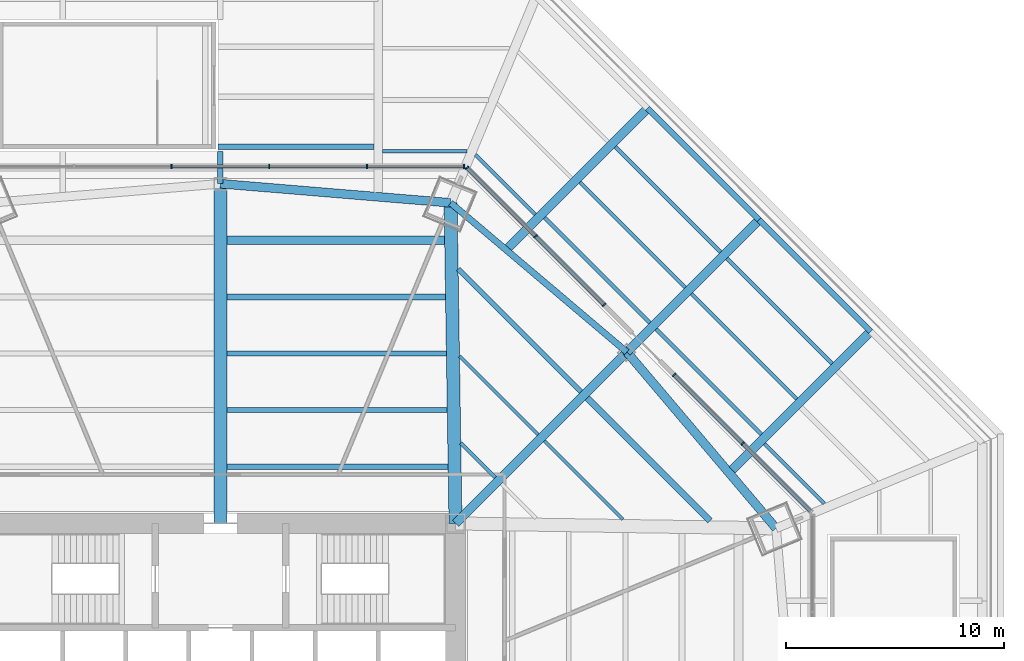
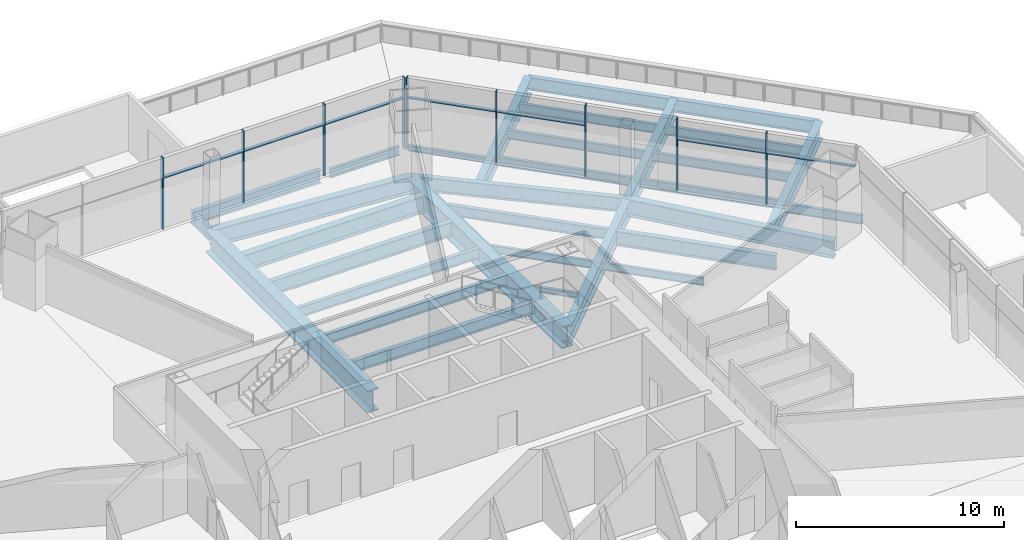
# One storey, part 11 of 25: 31 beams, 17 members, 3 elements without a shape of their own.
"""IFC4 building model written with IfcOpenShell, lengths in metres."""

from ifc_helpers import new_model, si_unit, direction, frame, origin, origin_2d, place, context, subcontext, project, spatial, rectangle, i_section, extrude, source, transform, mapped, material, material_profile, profile_set, type_object, type_shapes, element, aggregate, save


model = new_model("IFC4")

# Units and contexts
model_context = context("Model", 3, precision=1e-05, world=origin(), true_north=direction((0.0, 1.0)))
body_context = subcontext(model_context, "Body", "Model", "MODEL_VIEW")
ifc_project = project(units=[si_unit("LENGTHUNIT", "METRE"), si_unit("AREAUNIT", "SQUARE_METRE"), si_unit("VOLUMEUNIT", "CUBIC_METRE"), si_unit("PLANEANGLEUNIT", "RADIAN"), si_unit("MASSUNIT", "GRAM", prefix="KILO")], contexts=[model_context])

# Site, building, storey
site_placement = place(None, origin())
site = spatial("IfcSite", under=ifc_project, at=site_placement, CompositionType="ELEMENT")
building_placement = place(site_placement, origin())
building = spatial("IfcBuilding", under=site, at=building_placement, Name="Mashrafa Tower", CompositionType="ELEMENT")
storey_placement = place(building_placement, frame((0.0, 0.0, 28.800048828125)))
storey = spatial("IfcBuildingStorey", under=building, at=storey_placement, Name="L05", CompositionType="ELEMENT", Elevation=28.800048828125)

# Beams
ifc_material_1 = material(Name="Steel ASTM A572 Gr 50", Category="steel")
ifc_material_profile_1 = material_profile(ifc_material_1, i_section(OverallWidth=0.60009765625, OverallDepth=1.300048828125, WebThickness=0.028076171875, FlangeThickness=0.06494140625, at=origin_2d()), Name="H1300X600X28X65")
ifc_profile_set_1 = profile_set([ifc_material_profile_1], Name="Steel ASTM A572 Gr 50")
beam_type_1 = type_object("IfcBeamType", Name="Beam H1300X600X28X65", PredefinedType="BEAM", material=ifc_profile_set_1)
beam_1_placement = place(storey_placement, frame((0.0, 10.800048828125, -0.949951171875), z_axis=(0.0, 1.0, 0.0), x_axis=(-1.0, 0.0, 0.0)))
element("IfcBeam", 1, at=beam_1_placement, inside=storey, type_object=beam_type_1, Name="Radial girder L05 241", PredefinedType="BEAM", context=body_context, shape_type="SweptSolid", body=[
    extrude(i_section(OverallWidth=0.60009765625, OverallDepth=1.300048828125, WebThickness=0.028076171875, FlangeThickness=0.06494140625, at=origin_2d()), origin(), (0.0, 0.0, 1.0), 15.6083984375),
])
beam_2_placement = place(storey_placement, frame((10.800048828125, 10.800048828125, -0.949951171875), z_axis=(-0.015279561885, 0.99988326068, 0.0), x_axis=(-0.99988326068, -0.015279561885, 0.0)))
element("IfcBeam", 2, at=beam_2_placement, inside=storey, type_object=beam_type_1, Name="Radial girder L05 246", PredefinedType="BEAM", context=body_context, shape_type="SweptSolid", body=[
    extrude(i_section(OverallWidth=0.60009765625, OverallDepth=1.300048828125, WebThickness=0.028076171875, FlangeThickness=0.06494140625, at=origin_2d()), origin(), (0.0, 0.0, 1.0), 14.73193359375),
])
ifc_material_2 = material(Name="Steel ASTM A992", Category="steel")
ifc_material_profile_2 = material_profile(ifc_material_2, i_section(OverallWidth=0.164794921875, OverallDepth=0.309814453125, WebThickness=0.005859375, FlangeThickness=0.009765625, FilletRadius=0.007568359375, at=origin_2d()), Name="W12X26")
ifc_profile_set_2 = profile_set([ifc_material_profile_2], Name="Steel ASTM A992")
beam_type_2 = type_object("IfcBeamType", Name="Beam W12X26", PredefinedType="BEAM", material=ifc_profile_set_2)
beam_3_placement = place(storey_placement, frame((11.043701171875, 14.4931640625, -0.455078125), z_axis=(0.707106781187, -0.707106781187, 0.0), x_axis=(0.707106781187, 0.707106781187, 0.0)))
element("IfcBeam", 3, at=beam_3_placement, inside=storey, type_object=beam_type_2, Name="Floor beam L05 090", PredefinedType="BEAM", context=body_context, shape_type="SweptSolid", body=[
    extrude(i_section(OverallWidth=0.164794921875, OverallDepth=0.309814453125, WebThickness=0.005859375, FlangeThickness=0.009765625, FilletRadius=0.007568359375, at=origin_2d()), origin(), (0.0, 0.0, 1.0), 2.234619140625),
])
beam_4_placement = place(storey_placement, frame((11.718017578125, 27.7353515625, -0.455078125), z_axis=(0.707075290537, -0.707138270433, 0.0), x_axis=(0.707138270433, 0.707075290537, 0.0)))
element("IfcBeam", 4, at=beam_4_placement, inside=storey, type_object=beam_type_2, Name="Floor beam L05 092", PredefinedType="BEAM", context=body_context, shape_type="SweptSolid", body=[
    extrude(i_section(OverallWidth=0.164794921875, OverallDepth=0.309814453125, WebThickness=0.005859375, FlangeThickness=0.009765625, FilletRadius=0.007568359375, at=origin_2d()), origin(), (0.0, 0.0, 1.0), 3.87646484375),
])
ifc_material_3 = material(Name="Steel ASTM A992", Category="steel")
ifc_material_profile_3 = material_profile(ifc_material_3, i_section(OverallWidth=0.15234375, OverallDepth=0.449462890625, WebThickness=0.007568359375, FlangeThickness=0.0107421875, FilletRadius=0.01025390625, at=origin_2d()), Name="W18X35")
ifc_profile_set_3 = profile_set([ifc_material_profile_3], Name="Steel ASTM A992")
beam_type_3 = type_object("IfcBeamType", Name="Beam W18X35", PredefinedType="BEAM", material=ifc_profile_set_3)
for number, where, z_axis, x_axis, name in (
    (5, (10.982666015625, 18.490966796875, -0.52490234375), (0.707106781187, -0.707106781187, 0.0), (0.707106781187, 0.707106781187, 0.0), "Floor beam L05 087"),
    (6, (14.88134765625, 14.59228515625, -0.52490234375), (0.707106781187, -0.707106781187, 0.0), (0.707106781187, 0.707106781187, 0.0), "Floor beam L05 103"),
):
    element("IfcBeam", number, at=place(storey_placement, frame(where, z_axis=z_axis, x_axis=x_axis)), inside=storey, type_object=beam_type_3, Name=name, PredefinedType="BEAM", context=body_context, shape_type="SweptSolid", body=[
        extrude(i_section(OverallWidth=0.15234375, OverallDepth=0.449462890625, WebThickness=0.007568359375, FlangeThickness=0.0107421875, FilletRadius=0.01025390625, at=origin_2d()), origin(), (0.0, 0.0, 1.0), 5.104736328125),
    ])
ifc_material_4 = material(Name="Steel ASTM A992", Category="steel")
ifc_material_profile_4 = material_profile(ifc_material_4, i_section(OverallWidth=0.165771484375, OverallDepth=0.5283203125, WebThickness=0.009765625, FlangeThickness=0.013671875, FilletRadius=0.012939453125, at=origin_2d()), Name="W21X50")
ifc_profile_set_4 = profile_set([ifc_material_profile_4], Name="Steel ASTM A992")
beam_type_4 = type_object("IfcBeamType", Name="Beam W21X50", PredefinedType="BEAM", material=ifc_profile_set_4)
beam_5_placement = place(storey_placement, frame((7.449462890625, 27.897705078125, -0.564208984375), z_axis=(1.0, 0.0, 0.0), x_axis=(0.0, 1.0, 0.0)))
element("IfcBeam", 7, at=beam_5_placement, inside=storey, type_object=beam_type_4, Name="Floor beam L05 081", PredefinedType="BEAM", context=body_context, shape_type="SweptSolid", body=[
    extrude(i_section(OverallWidth=0.165771484375, OverallDepth=0.5283203125, WebThickness=0.009765625, FlangeThickness=0.013671875, FilletRadius=0.012939453125, at=origin_2d()), origin(), (0.0, 0.0, 1.0), 3.87646484375),
])
for number, where, z_axis, x_axis, name in (
    (8, (14.889404296875, 24.85693359375, -0.564208984375), (0.707106781187, -0.707106781187, 0.0), (0.707106781187, 0.707106781187, 0.0), "Floor beam L05 104"),
    (9, (16.5146484375, 26.482177734375, -0.564208984375), (0.707088953991, -0.707124607932, 0.0), (0.707124607932, 0.707088953991, 0.0), "Floor beam L05 109"),
    (10, (18.139892578125, 28.107421875, -0.564208984375), (0.707088953991, -0.707124607932, 0.0), (0.707124607932, 0.707088953991, 0.0), "Floor beam L05 113"),
    (11, (20.01513671875, 19.731201171875, -0.564208984375), (0.707106781187, -0.707106781187, 0.0), (0.707106781187, 0.707106781187, 0.0), "Floor beam L05 118"),
    (12, (21.64013671875, 21.3564453125, -0.564208984375), (0.707124607932, -0.707088953991, 0.0), (0.707088953991, 0.707124607932, 0.0), "Floor beam L05 122"),
    (13, (23.265380859375, 22.981689453125, -0.564208984375), (0.707124607932, -0.707088953991, 0.0), (0.707088953991, 0.707124607932, 0.0), "Floor beam L05 125"),
):
    element("IfcBeam", number, at=place(storey_placement, frame(where, z_axis=z_axis, x_axis=x_axis)), inside=storey, type_object=beam_type_4, Name=name, PredefinedType="BEAM", context=body_context, shape_type="SweptSolid", body=[
        extrude(i_section(OverallWidth=0.165771484375, OverallDepth=0.5283203125, WebThickness=0.009765625, FlangeThickness=0.013671875, FilletRadius=0.012939453125, at=origin_2d()), origin(), (0.0, 0.0, 1.0), 6.847412109375),
    ])
beam_6_placement = place(storey_placement, frame((24.994140625, 14.458984375, -0.564208984375), z_axis=(0.707138169791, -0.707075391189, 0.0), x_axis=(0.707075391189, 0.707138169791, 0.0)))
element("IfcBeam", 14, at=beam_6_placement, inside=storey, type_object=beam_type_4, Name="Floor beam L05 128", PredefinedType="BEAM", context=body_context, shape_type="SweptSolid", body=[
    extrude(i_section(OverallWidth=0.165771484375, OverallDepth=0.5283203125, WebThickness=0.009765625, FlangeThickness=0.013671875, FilletRadius=0.012939453125, at=origin_2d()), origin(), (0.0, 0.0, 1.0), 3.888916015625),
])
ifc_material_5 = material(Name="Steel ASTM A992", Category="steel")
ifc_material_profile_5 = material_profile(ifc_material_5, i_section(OverallWidth=0.227783203125, OverallDepth=0.60205078125, WebThickness=0.010498046875, FlangeThickness=0.014892578125, FilletRadius=0.012939453125, at=origin_2d()), Name="W24X68")
ifc_profile_set_5 = profile_set([ifc_material_profile_5], Name="Steel ASTM A992")
beam_type_5 = type_object("IfcBeamType", Name="Beam W24X68", PredefinedType="BEAM", material=ifc_profile_set_5)
beam_7_placement = place(storey_placement, frame((0.300048828125, 16.002685546875, -0.60107421875), z_axis=(1.0, 0.0, 0.0), x_axis=(0.0, 1.0, 0.0)))
element("IfcBeam", 15, at=beam_7_placement, inside=storey, type_object=beam_type_5, Name="Floor beam L05 074", PredefinedType="BEAM", context=body_context, shape_type="SweptSolid", body=[
    extrude(i_section(OverallWidth=0.227783203125, OverallDepth=0.60205078125, WebThickness=0.010498046875, FlangeThickness=0.014892578125, FilletRadius=0.012939453125, at=origin_2d()), origin(), (0.0, 0.0, 1.0), 10.120361328125),
])
beam_8_placement = place(storey_placement, frame((0.300048828125, 18.604248046875, -0.60107421875), z_axis=(1.0, 0.0, 0.0), x_axis=(0.0, 1.0, 0.0)))
element("IfcBeam", 16, at=beam_8_placement, inside=storey, type_object=beam_type_5, Name="Floor beam L05 075", PredefinedType="BEAM", context=body_context, shape_type="SweptSolid", body=[
    extrude(i_section(OverallWidth=0.227783203125, OverallDepth=0.60205078125, WebThickness=0.010498046875, FlangeThickness=0.014892578125, FilletRadius=0.012939453125, at=origin_2d()), origin(), (0.0, 0.0, 1.0), 10.080810546875),
])
ifc_material_6 = material(Name="Steel ASTM A992", Category="steel")
ifc_material_profile_6 = material_profile(ifc_material_6, i_section(OverallWidth=0.22900390625, OverallDepth=0.612060546875, WebThickness=0.011962890625, FlangeThickness=0.01953125, FilletRadius=0.0126953125, at=origin_2d()), Name="W24X84")
ifc_profile_set_6 = profile_set([ifc_material_profile_6], Name="Steel ASTM A992")
beam_type_6 = type_object("IfcBeamType", Name="Beam W24X84", PredefinedType="BEAM", material=ifc_profile_set_6)
beam_9_placement = place(storey_placement, frame((10.92138671875, 22.489013671875, -0.606201171875), z_axis=(0.707106781187, -0.707106781187, 0.0), x_axis=(0.707106781187, 0.707106781187, 0.0)))
element("IfcBeam", 17, at=beam_9_placement, inside=storey, type_object=beam_type_6, Name="Floor beam L05 085", PredefinedType="BEAM", context=body_context, shape_type="SweptSolid", body=[
    extrude(i_section(OverallWidth=0.22900390625, OverallDepth=0.612060546875, WebThickness=0.011962890625, FlangeThickness=0.01953125, FilletRadius=0.0126953125, at=origin_2d()), origin(), (0.0, 0.0, 1.0), 7.97509765625),
])
ifc_material_7 = material(Name="Steel ASTM A992", Category="steel")
ifc_material_profile_7 = material_profile(ifc_material_7, i_section(OverallWidth=0.25390625, OverallDepth=0.67822265625, WebThickness=0.01171875, FlangeThickness=0.016357421875, FilletRadius=0.01513671875, at=origin_2d()), Name="W27X84")
ifc_profile_set_7 = profile_set([ifc_material_profile_7], Name="Steel ASTM A992")
beam_type_7 = type_object("IfcBeamType", Name="Beam W27X84", PredefinedType="BEAM", material=ifc_profile_set_7)
beam_10_placement = place(storey_placement, frame((0.300048828125, 13.4013671875, -0.63916015625), z_axis=(1.0, 0.0, 0.0), x_axis=(0.0, 1.0, 0.0)))
element("IfcBeam", 18, at=beam_10_placement, inside=storey, type_object=beam_type_7, Name="Floor beam L05 073", PredefinedType="BEAM", context=body_context, shape_type="SweptSolid", body=[
    extrude(i_section(OverallWidth=0.25390625, OverallDepth=0.67822265625, WebThickness=0.01171875, FlangeThickness=0.016357421875, FilletRadius=0.01513671875, at=origin_2d()), origin(), (0.0, 0.0, 1.0), 10.16015625),
])
ifc_material_8 = material(Name="Steel ASTM A992", Category="steel")
ifc_material_profile_8 = material_profile(ifc_material_8, i_section(OverallWidth=0.2666015625, OverallDepth=0.761962890625, WebThickness=0.014404296875, FlangeThickness=0.021484375, FilletRadius=0.0166015625, at=origin_2d()), Name="W30X116")
ifc_profile_set_8 = profile_set([ifc_material_profile_8], Name="Steel ASTM A992")
beam_type_8 = type_object("IfcBeamType", Name="Beam W30X116", PredefinedType="BEAM", material=ifc_profile_set_8)
for number, where, z_axis, x_axis, name in (
    (19, (24.748779296875, 24.748779296875, -0.68115234375), (-0.707106781187, 0.707106781187, 0.0), (-0.707106781187, -0.707106781187, 0.0), "Podium edge beam L05 169"),
    (20, (29.87451171875, 19.623046875, -0.68115234375), (-0.707106781187, 0.707106781187, 0.0), (-0.707106781187, -0.707106781187, 0.0), "Podium edge beam L05 171"),
):
    element("IfcBeam", number, at=place(storey_placement, frame(where, z_axis=z_axis, x_axis=x_axis)), inside=storey, type_object=beam_type_8, Name=name, PredefinedType="BEAM", context=body_context, shape_type="SweptSolid", body=[
        extrude(i_section(OverallWidth=0.2666015625, OverallDepth=0.761962890625, WebThickness=0.014404296875, FlangeThickness=0.021484375, FilletRadius=0.0166015625, at=origin_2d()), origin(), (0.0, 0.0, 1.0), 7.248779296875),
    ])
ifc_material_9 = material(Name="Steel ASTM A992", Category="steel")
ifc_material_profile_9 = material_profile(ifc_material_9, i_section(OverallWidth=0.2666015625, OverallDepth=0.75439453125, WebThickness=0.01318359375, FlangeThickness=0.01708984375, FilletRadius=0.0166015625, at=origin_2d()), Name="W30X99")
ifc_profile_set_9 = profile_set([ifc_material_profile_9], Name="Steel ASTM A992")
beam_type_9 = type_object("IfcBeamType", Name="Beam W30X99", PredefinedType="BEAM", material=ifc_profile_set_9)
beam_11_placement = place(storey_placement, frame((-0.10009765625, 28.10498046875, -0.67724609375), z_axis=(1.0, 0.0, 0.0), x_axis=(0.0, 1.0, 0.0)))
element("IfcBeam", 21, at=beam_11_placement, inside=storey, type_object=beam_type_9, Name="Floor beam L05 065", PredefinedType="BEAM", context=body_context, shape_type="SweptSolid", body=[
    extrude(i_section(OverallWidth=0.2666015625, OverallDepth=0.75439453125, WebThickness=0.01318359375, FlangeThickness=0.01708984375, FilletRadius=0.0166015625, at=origin_2d()), origin(), (0.0, 0.0, 1.0), 7.148193359375),
])
ifc_material_10 = material(Name="Steel ASTM A992", Category="steel")
ifc_material_profile_10 = material_profile(ifc_material_10, i_section(OverallWidth=0.2919921875, OverallDepth=0.8408203125, WebThickness=0.0146484375, FlangeThickness=0.021728515625, FilletRadius=0.017333984375, at=origin_2d()), Name="W33X130")
ifc_profile_set_10 = profile_set([ifc_material_profile_10], Name="Steel ASTM A992")
beam_type_10 = type_object("IfcBeamType", Name="Beam W33X130", PredefinedType="BEAM", material=ifc_profile_set_10)
beam_12_placement = place(storey_placement, frame((18.673583984375, 18.673583984375, -0.720458984375), z_axis=(-0.763200370104, 0.646161895405, 0.0), x_axis=(-0.646161895405, -0.763200370104, 0.0)))
element("IfcBeam", 22, at=beam_12_placement, inside=storey, type_object=beam_type_10, Name="Podium ring girder L05 229", PredefinedType="BEAM", context=body_context, shape_type="SweptSolid", body=[
    extrude(i_section(OverallWidth=0.2919921875, OverallDepth=0.8408203125, WebThickness=0.0146484375, FlangeThickness=0.021728515625, FilletRadius=0.017333984375, at=origin_2d()), origin(), (0.0, 0.0, 1.0), 10.611328125),
])
ifc_material_11 = material(Name="Steel ASTM A992", Category="steel")
ifc_material_profile_11 = material_profile(ifc_material_11, i_section(OverallWidth=0.2919921875, OverallDepth=0.845703125, WebThickness=0.015380859375, FlangeThickness=0.0244140625, FilletRadius=0.017333984375, at=origin_2d()), Name="W33X141")
ifc_profile_set_11 = profile_set([ifc_material_profile_11], Name="Steel ASTM A992")
beam_type_11 = type_object("IfcBeamType", Name="Beam W33X141", PredefinedType="BEAM", material=ifc_profile_set_11)
beam_13_placement = place(storey_placement, frame((0.300048828125, 21.205810546875, -0.722900390625), z_axis=(1.0, 0.0, 0.0), x_axis=(0.0, 1.0, 0.0)))
element("IfcBeam", 23, at=beam_13_placement, inside=storey, type_object=beam_type_11, Name="Floor beam L05 076", PredefinedType="BEAM", context=body_context, shape_type="SweptSolid", body=[
    extrude(i_section(OverallWidth=0.2919921875, OverallDepth=0.845703125, WebThickness=0.015380859375, FlangeThickness=0.0244140625, FilletRadius=0.017333984375, at=origin_2d()), origin(), (0.0, 0.0, 1.0), 10.041015625),
])
ifc_material_12 = material(Name="Steel ASTM A992", Category="steel")
ifc_material_profile_12 = material_profile(ifc_material_12, i_section(OverallWidth=0.2919921875, OverallDepth=0.8583984375, WebThickness=0.01708984375, FlangeThickness=0.031005859375, FilletRadius=0.017822265625, at=origin_2d()), Name="W33X169")
ifc_profile_set_12 = profile_set([ifc_material_profile_12], Name="Steel ASTM A992")
beam_type_12 = type_object("IfcBeamType", Name="Beam W33X169", PredefinedType="BEAM", material=ifc_profile_set_12)
beam_14_placement = place(storey_placement, frame((16.849853515625, 16.560546875, -0.729248046875), z_axis=(0.707106781187, -0.707106781187, 0.0), x_axis=(0.707106781187, 0.707106781187, 0.0)))
element("IfcBeam", 24, at=beam_14_placement, inside=storey, type_object=beam_type_12, Name="Floor beam L05 111", PredefinedType="BEAM", context=body_context, shape_type="SweptSolid", body=[
    extrude(i_section(OverallWidth=0.2919921875, OverallDepth=0.8583984375, WebThickness=0.01708984375, FlangeThickness=0.031005859375, FilletRadius=0.017822265625, at=origin_2d()), origin(), (0.0, 0.0, 1.0), 7.97509765625),
])
ifc_material_13 = material(Name="Steel ASTM A992", Category="steel")
ifc_material_profile_13 = material_profile(ifc_material_13, i_section(OverallWidth=0.4013671875, OverallDepth=0.98291015625, WebThickness=0.0166015625, FlangeThickness=0.027099609375, FilletRadius=0.0126953125, at=origin_2d()), Name="W40X199")
ifc_profile_set_13 = profile_set([ifc_material_profile_13], Name="Steel ASTM A992")
beam_type_13 = type_object("IfcBeamType", Name="Beam W40X199", PredefinedType="BEAM", material=ifc_profile_set_13)
beam_15_placement = place(storey_placement, frame((0.300048828125, 23.80712890625, -0.79150390625), z_axis=(1.0, 0.0, 0.0), x_axis=(0.0, 1.0, 0.0)))
element("IfcBeam", 25, at=beam_15_placement, inside=storey, type_object=beam_type_13, Name="Floor beam L05 077", PredefinedType="BEAM", context=body_context, shape_type="SweptSolid", body=[
    extrude(i_section(OverallWidth=0.4013671875, OverallDepth=0.98291015625, WebThickness=0.0166015625, FlangeThickness=0.027099609375, FilletRadius=0.0126953125, at=origin_2d()), origin(), (0.0, 0.0, 1.0), 10.001220703125),
])
ifc_material_14 = material(Name="Steel ASTM A992", Category="steel")
ifc_material_profile_14 = material_profile(ifc_material_14, i_section(OverallWidth=0.4013671875, OverallDepth=1.010986328125, WebThickness=0.023681640625, FlangeThickness=0.0419921875, FilletRadius=0.02001953125, at=origin_2d()), Name="W40X297")
ifc_profile_set_14 = profile_set([ifc_material_profile_14], Name="Steel ASTM A992")
beam_type_14 = type_object("IfcBeamType", Name="Beam W40X297", PredefinedType="BEAM", material=ifc_profile_set_14)
beam_16_placement = place(storey_placement, frame((13.225830078125, 23.477294921875, -0.805419921875), z_axis=(0.707106781187, 0.707106781187, 0.0), x_axis=(-0.707106781187, 0.707106781187, 0.0)))
element("IfcBeam", 26, at=beam_16_placement, inside=storey, type_object=beam_type_14, Name="Podium radial beam L05 205", PredefinedType="BEAM", context=body_context, shape_type="SweptSolid", body=[
    extrude(i_section(OverallWidth=0.4013671875, OverallDepth=1.010986328125, WebThickness=0.023681640625, FlangeThickness=0.0419921875, FilletRadius=0.02001953125, at=origin_2d()), origin(), (0.0, 0.0, 1.0), 9.047119140625),
])
beam_17_placement = place(storey_placement, frame((18.673583984375, 18.673583984375, -0.805419921875), z_axis=(0.707106781187, 0.707106781187, 0.0), x_axis=(-0.707106781187, 0.707106781187, 0.0)))
element("IfcBeam", 27, at=beam_17_placement, inside=storey, type_object=beam_type_14, Name="Podium radial beam L05 207", PredefinedType="BEAM", context=body_context, shape_type="SweptSolid", body=[
    extrude(i_section(OverallWidth=0.4013671875, OverallDepth=1.010986328125, WebThickness=0.023681640625, FlangeThickness=0.0419921875, FilletRadius=0.02001953125, at=origin_2d()), origin(), (0.0, 0.0, 1.0), 8.591552734375),
])
beam_18_placement = place(storey_placement, frame((23.51611328125, 13.2646484375, -0.805419921875), z_axis=(0.707106781187, 0.707106781187, 0.0), x_axis=(-0.707106781187, 0.707106781187, 0.0)))
element("IfcBeam", 28, at=beam_18_placement, inside=storey, type_object=beam_type_14, Name="Podium radial beam L05 209", PredefinedType="BEAM", context=body_context, shape_type="SweptSolid", body=[
    extrude(i_section(OverallWidth=0.4013671875, OverallDepth=1.010986328125, WebThickness=0.023681640625, FlangeThickness=0.0419921875, FilletRadius=0.02001953125, at=origin_2d()), origin(), (0.0, 0.0, 1.0), 8.9921875),
])
for number, where, z_axis, x_axis, name in (
    (29, (10.574951171875, 25.5302734375, -0.805419921875), (-0.996569676299, 0.082757962037, 0.0), (-0.082757962037, -0.996569676299, 0.0), "Podium ring girder L05 227"),
    (30, (25.5302734375, 10.574951171875, -0.805419921875), (-0.646161895405, 0.763200370104, 0.0), (-0.763200370104, -0.646161895405, 0.0), "Podium ring girder L05 231"),
):
    element("IfcBeam", number, at=place(storey_placement, frame(where, z_axis=z_axis, x_axis=x_axis)), inside=storey, type_object=beam_type_14, Name=name, PredefinedType="BEAM", context=body_context, shape_type="SweptSolid", body=[
        extrude(i_section(OverallWidth=0.4013671875, OverallDepth=1.010986328125, WebThickness=0.023681640625, FlangeThickness=0.0419921875, FilletRadius=0.02001953125, at=origin_2d()), origin(), (0.0, 0.0, 1.0), 10.611328125),
    ])
ifc_material_15 = material(Name="Steel ASTM A992", Category="steel")
ifc_material_profile_15 = material_profile(ifc_material_15, i_section(OverallWidth=0.408935546875, OverallDepth=1.04150390625, WebThickness=0.031005859375, FlangeThickness=0.055908203125, FilletRadius=0.020263671875, at=origin_2d()), Name="W40X397")
ifc_profile_set_15 = profile_set([ifc_material_profile_15], Name="Steel ASTM A992")
beam_type_15 = type_object("IfcBeamType", Name="Beam W40X397", PredefinedType="BEAM", material=ifc_profile_set_15)
beam_19_placement = place(storey_placement, frame((10.800048828125, 10.800048828125, -0.82080078125), z_axis=(0.707106781187, 0.707106781187, 0.0), x_axis=(-0.707106781187, 0.707106781187, 0.0)))
element("IfcBeam", 31, at=beam_19_placement, inside=storey, type_object=beam_type_15, Name="Radial girder L05 247", PredefinedType="BEAM", context=body_context, shape_type="SweptSolid", body=[
    extrude(i_section(OverallWidth=0.408935546875, OverallDepth=1.04150390625, WebThickness=0.031005859375, FlangeThickness=0.055908203125, FilletRadius=0.020263671875, at=origin_2d()), origin(), (0.0, 0.0, 1.0), 11.134765625),
])

# Member
ifc_material_16 = material(Name="Steel ASTM A992", Category="steel")
ifc_material_profile_16 = material_profile(ifc_material_16, i_section(OverallWidth=0.25390625, OverallDepth=0.683349609375, WebThickness=0.012451171875, FlangeThickness=0.01904296875, FilletRadius=0.01513671875, at=origin_2d()), Name="W27X94")
ifc_profile_set_16 = profile_set([ifc_material_profile_16], Name="Steel ASTM A992")
member_type_1 = type_object("IfcMemberType", Name="Tie strut W27X94", PredefinedType="STRUT", material=ifc_profile_set_16)
shared_shape_1 = source(origin(), body_context, "Body", "SweptSolid", [
    extrude(i_section(OverallWidth=0.25390625, OverallDepth=0.683349609375, WebThickness=0.012451171875, FlangeThickness=0.01904296875, FilletRadius=0.01513671875, at=origin_2d()), origin(), (0.0, 0.0, 1.0), 1.491455078125),
])
type_shapes(member_type_1, [shared_shape_1])
member_1_placement = place(storey_placement, frame((0.0, 26.408447265625, -0.6416015625), z_axis=(0.0, 1.0, 0.0), x_axis=(-1.0, 0.0, 0.0)))
element("IfcMember", 32, at=member_1_placement, inside=storey, type_object=member_type_1, Name="Tie strut L05 197", PredefinedType="STRUT", context=body_context, shape_type="MappedRepresentation", body=[
    mapped(shared_shape_1, transform((0.0, 0.0, 0.0))),
])

# Curtain wall, members
ifc_material_17 = material(Name="Unitised aluminium curtain wall", Category="aluminium")
curtain_wall_type = type_object("IfcCurtainWallType", Name="Office curtain wall, zone 1 CW-A 200 deep", PredefinedType="NOTDEFINED", material=ifc_material_17)
curtain_wall_1_placement = place(storey_placement, origin())
curtain_wall_1 = element("IfcCurtainWall", 33, at=curtain_wall_1_placement, inside=storey, type_object=curtain_wall_type, Name="Office curtain wall, zone 1 L05 north-east part 1", PredefinedType="NOTDEFINED")
ifc_material_18 = material(Name="Extruded aluminium mullion", Category="aluminium")
ifc_material_profile_17 = material_profile(ifc_material_18, rectangle(XDim=0.199951171875, YDim=0.06494140625, at=origin_2d()), Name="Mullion 65x200")
ifc_profile_set_17 = profile_set([ifc_material_profile_17], Name="Extruded aluminium mullion")
member_type_2 = type_object("IfcMemberType", Name="Mullion CW-A 65 x 200", PredefinedType="MULLION", material=ifc_profile_set_17)
shared_shape_2 = source(origin(), body_context, "Body", "SweptSolid", [
    extrude(rectangle(XDim=0.199951171875, YDim=0.06494140625, at=origin_2d()), origin(), (0.0, 0.0, 1.0), 4.199951171875),
])
type_shapes(member_type_2, [shared_shape_2])
member_2_placement = place(storey_placement, frame((23.991455078125, 14.47509765625, 0.0), z_axis=(0.0, 0.0, 1.0), x_axis=(-0.707106781187, -0.707106781187, 0.0)))
member_2 = element("IfcMember", 34, at=member_2_placement, type_object=member_type_2, Name="CW-A mullion 2", PredefinedType="MULLION", context=body_context, shape_type="MappedRepresentation", body=[
    mapped(shared_shape_2, transform((0.0, 0.0, 0.0))),
])
member_3_placement = place(storey_placement, frame((20.84228515625, 17.624267578125, 0.0), z_axis=(0.0, 0.0, 1.0), x_axis=(-0.707106781187, -0.707106781187, 0.0)))
member_3 = element("IfcMember", 35, at=member_3_placement, type_object=member_type_2, Name="CW-A mullion 3", PredefinedType="MULLION", context=body_context, shape_type="MappedRepresentation", body=[
    mapped(shared_shape_2, transform((0.0, 0.0, 0.0))),
])

curtain_wall_2_placement = place(storey_placement, origin())
curtain_wall_2 = element("IfcCurtainWall", 36, at=curtain_wall_2_placement, inside=storey, type_object=curtain_wall_type, Name="Office curtain wall, zone 1 L05 north-east part 2", PredefinedType="NOTDEFINED")
member_4_placement = place(storey_placement, frame((17.624267578125, 20.84228515625, 0.0), z_axis=(0.0, 0.0, 1.0), x_axis=(-0.707106781187, -0.707106781187, 0.0)))
member_4 = element("IfcMember", 37, at=member_4_placement, type_object=member_type_2, Name="CW-A mullion 1", PredefinedType="MULLION", context=body_context, shape_type="MappedRepresentation", body=[
    mapped(shared_shape_2, transform((0.0, 0.0, 0.0))),
])
member_5_placement = place(storey_placement, frame((14.47509765625, 23.991455078125, 0.0), z_axis=(0.0, 0.0, 1.0), x_axis=(-0.707106781187, -0.707106781187, 0.0)))
member_5 = element("IfcMember", 38, at=member_5_placement, type_object=member_type_2, Name="CW-A mullion 2", PredefinedType="MULLION", context=body_context, shape_type="MappedRepresentation", body=[
    mapped(shared_shape_2, transform((0.0, 0.0, 0.0))),
])
member_6_placement = place(storey_placement, frame((11.325927734375, 27.140625, 0.0), z_axis=(0.0, 0.0, 1.0), x_axis=(-0.707106781187, -0.707106781187, 0.0)))
member_6 = element("IfcMember", 39, at=member_6_placement, type_object=member_type_2, Name="CW-A mullion 3", PredefinedType="MULLION", context=body_context, shape_type="MappedRepresentation", body=[
    mapped(shared_shape_2, transform((0.0, 0.0, 0.0))),
])

curtain_wall_3_placement = place(storey_placement, origin())
curtain_wall_3 = element("IfcCurtainWall", 40, at=curtain_wall_3_placement, inside=storey, type_object=curtain_wall_type, Name="Office curtain wall, zone 1 L05 north", PredefinedType="NOTDEFINED")
member_7_placement = place(storey_placement, frame((11.1826171875, 27.199951171875, 0.0), z_axis=(0.0, 0.0, 1.0), x_axis=(0.0, -1.0, 0.0)))
member_7 = element("IfcMember", 41, at=member_7_placement, type_object=member_type_2, Name="CW-A mullion 1", PredefinedType="MULLION", context=body_context, shape_type="MappedRepresentation", body=[
    mapped(shared_shape_2, transform((0.0, 0.0, 0.0))),
])
member_8_placement = place(storey_placement, frame((6.72900390625, 27.199951171875, 0.0), z_axis=(0.0, 0.0, 1.0), x_axis=(0.0, -1.0, 0.0)))
member_8 = element("IfcMember", 42, at=member_8_placement, type_object=member_type_2, Name="CW-A mullion 2", PredefinedType="MULLION", context=body_context, shape_type="MappedRepresentation", body=[
    mapped(shared_shape_2, transform((0.0, 0.0, 0.0))),
])
member_9_placement = place(storey_placement, frame((2.242919921875, 27.199951171875, 0.0), z_axis=(0.0, 0.0, 1.0), x_axis=(0.0, -1.0, 0.0)))
member_9 = element("IfcMember", 43, at=member_9_placement, type_object=member_type_2, Name="CW-A mullion 3", PredefinedType="MULLION", context=body_context, shape_type="MappedRepresentation", body=[
    mapped(shared_shape_2, transform((0.0, 0.0, 0.0))),
])
member_10_placement = place(storey_placement, frame((-2.242919921875, 27.199951171875, 0.0), z_axis=(0.0, 0.0, 1.0), x_axis=(0.0, -1.0, 0.0)))
member_10 = element("IfcMember", 44, at=member_10_placement, type_object=member_type_2, Name="CW-A mullion 4", PredefinedType="MULLION", context=body_context, shape_type="MappedRepresentation", body=[
    mapped(shared_shape_2, transform((0.0, 0.0, 0.0))),
])
ifc_material_19 = material(Name="Extruded aluminium transom", Category="aluminium")
ifc_material_profile_18 = material_profile(ifc_material_19, rectangle(XDim=0.159912109375, YDim=0.080078125, at=origin_2d()), Name="Transom 80x160")
ifc_profile_set_18 = profile_set([ifc_material_profile_18], Name="Extruded aluminium transom")
member_type_3 = type_object("IfcMemberType", Name="Transom CW-A 80 x 160", PredefinedType="MULLION", material=ifc_profile_set_18)
shared_shape_3 = source(origin(), body_context, "Body", "SweptSolid", [
    extrude(rectangle(XDim=0.159912109375, YDim=0.080078125, at=origin_2d()), origin(), (0.0, 0.0, 1.0), 4.388427734375),
])
member_11_placement = place(storey_placement, frame((11.150146484375, 27.199951171875, 3.0), z_axis=(-1.0, 0.0, 0.0), x_axis=(0.0, -1.0, 0.0)))
member_11 = element("IfcMember", 45, at=member_11_placement, type_object=member_type_3, Name="CW-A transom 1", PredefinedType="MULLION", context=body_context, shape_type="MappedRepresentation", body=[
    mapped(shared_shape_3, transform((0.0, 0.0, 0.0))),
])
shared_shape_4 = source(origin(), body_context, "Body", "SweptSolid", [
    extrude(rectangle(XDim=0.159912109375, YDim=0.080078125, at=origin_2d()), origin(), (0.0, 0.0, 1.0), 4.4208984375),
])
member_12_placement = place(storey_placement, frame((6.696533203125, 27.199951171875, 3.0), z_axis=(-1.0, 0.0, 0.0), x_axis=(0.0, -1.0, 0.0)))
member_12 = element("IfcMember", 46, at=member_12_placement, type_object=member_type_3, Name="CW-A transom 2", PredefinedType="MULLION", context=body_context, shape_type="MappedRepresentation", body=[
    mapped(shared_shape_4, transform((0.0, 0.0, 0.0))),
])
member_13_placement = place(storey_placement, frame((2.21044921875, 27.199951171875, 3.0), z_axis=(-1.0, 0.0, 0.0), x_axis=(0.0, -1.0, 0.0)))
member_13 = element("IfcMember", 47, at=member_13_placement, type_object=member_type_3, Name="CW-A transom 3", PredefinedType="MULLION", context=body_context, shape_type="MappedRepresentation", body=[
    mapped(shared_shape_4, transform((0.0, 0.0, 0.0))),
])
aggregate(curtain_wall_3, [member_7, member_8, member_9, member_10, member_11, member_12, member_13])

# Member
shared_shape_5 = source(origin(), body_context, "Body", "SweptSolid", [
    extrude(rectangle(XDim=0.159912109375, YDim=0.080078125, at=origin_2d()), origin(), (0.0, 0.0, 1.0), 4.388671875),
])
type_shapes(member_type_3, [shared_shape_3, shared_shape_4, shared_shape_5])
member_14_placement = place(storey_placement, frame((27.11767578125, 11.348876953125, 3.0), z_axis=(-0.707106781187, 0.707106781187, 0.0), x_axis=(-0.707106781187, -0.707106781187, 0.0)))
member_14 = element("IfcMember", 48, at=member_14_placement, type_object=member_type_3, Name="CW-A transom 1", PredefinedType="MULLION", context=body_context, shape_type="MappedRepresentation", body=[
    mapped(shared_shape_5, transform((0.0, 0.0, 0.0))),
])

member_15_placement = place(storey_placement, frame((23.968505859375, 14.498046875, 3.0), z_axis=(-0.707106781187, 0.707106781187, 0.0), x_axis=(-0.707106781187, -0.707106781187, 0.0)))
member_15 = element("IfcMember", 49, at=member_15_placement, type_object=member_type_3, Name="CW-A transom 2", PredefinedType="MULLION", context=body_context, shape_type="MappedRepresentation", body=[
    mapped(shared_shape_5, transform((0.0, 0.0, 0.0))),
])

aggregate(curtain_wall_1, [member_2, member_3, member_14, member_15])

member_16_placement = place(storey_placement, frame((17.601318359375, 20.865234375, 3.0), z_axis=(-0.707106781187, 0.707106781187, 0.0), x_axis=(-0.707106781187, -0.707106781187, 0.0)))
member_16 = element("IfcMember", 50, at=member_16_placement, type_object=member_type_3, Name="CW-A transom 1", PredefinedType="MULLION", context=body_context, shape_type="MappedRepresentation", body=[
    mapped(shared_shape_5, transform((0.0, 0.0, 0.0))),
])

member_17_placement = place(storey_placement, frame((14.4521484375, 24.014404296875, 3.0), z_axis=(-0.707106781187, 0.707106781187, 0.0), x_axis=(-0.707106781187, -0.707106781187, 0.0)))
member_17 = element("IfcMember", 51, at=member_17_placement, type_object=member_type_3, Name="CW-A transom 2", PredefinedType="MULLION", context=body_context, shape_type="MappedRepresentation", body=[
    mapped(shared_shape_5, transform((0.0, 0.0, 0.0))),
])

aggregate(curtain_wall_2, [member_4, member_5, member_6, member_16, member_17])

save(model, "model.ifc")
